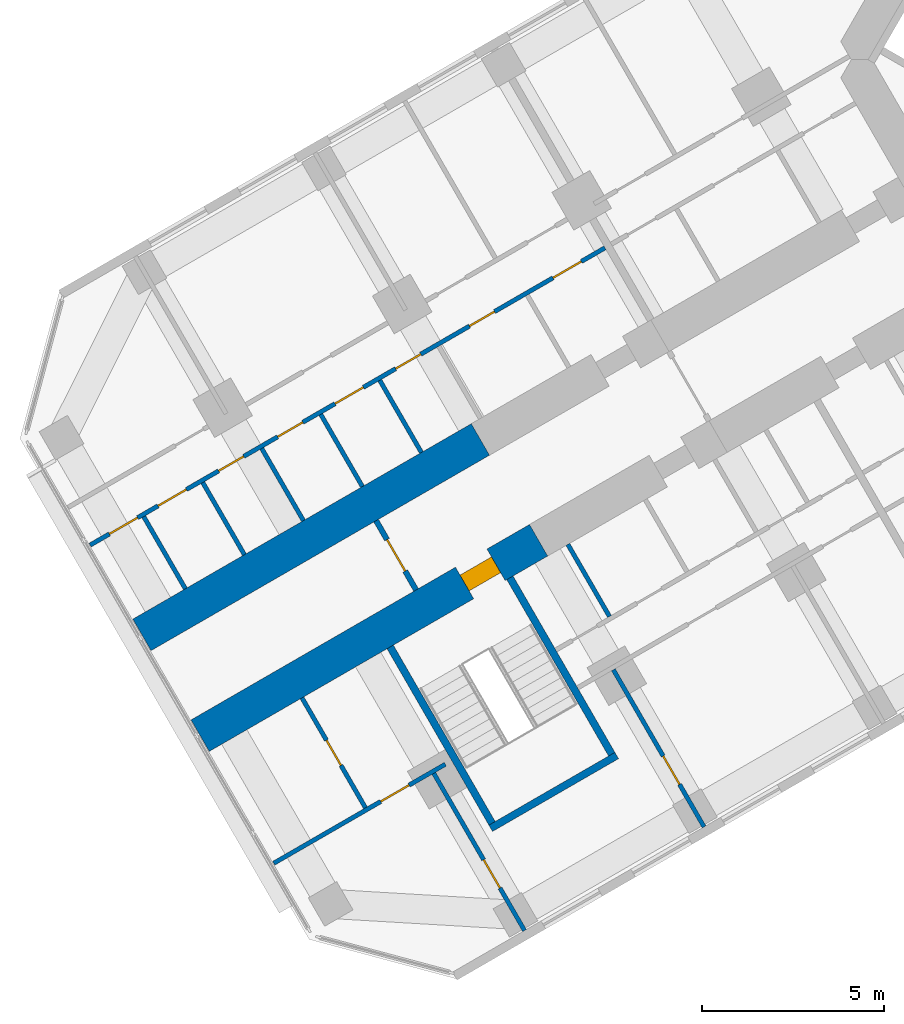
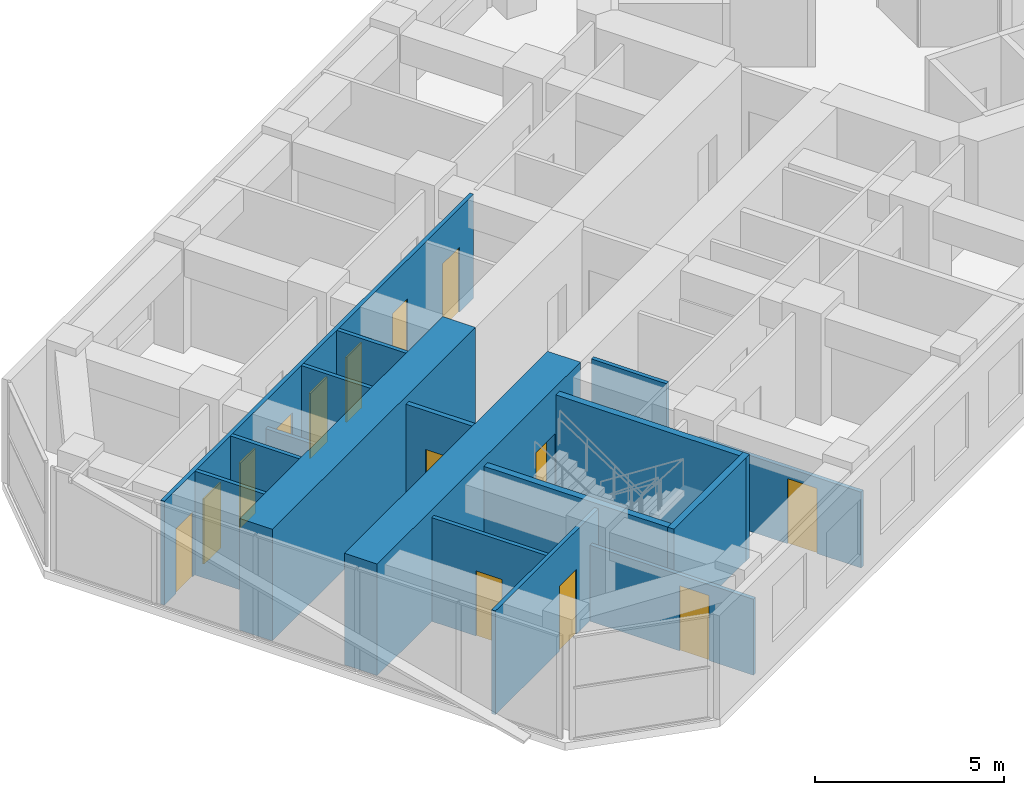
# One storey, part 10 of 21: 17 walls, 14 doors, 14 openings.
"""IFC4 building model written with IfcOpenShell, lengths in metres."""

from ifc_helpers import new_model, si_unit, direction, frame, frame_2d, origin, place, context, subcontext, project, spatial, rectangle, extrude, material, layer, layer_set, type_object, element, fill, save


model = new_model("IFC4")

# Units and contexts
model_context = context("Model", 3, precision=1e-05, world=origin(), true_north=direction((0.0, 1.0)))
body_context = subcontext(model_context, "Body", "Model", "MODEL_VIEW")
ifc_project = project(units=[si_unit("LENGTHUNIT", "METRE"), si_unit("AREAUNIT", "SQUARE_METRE"), si_unit("VOLUMEUNIT", "CUBIC_METRE"), si_unit("PLANEANGLEUNIT", "RADIAN"), si_unit("MASSUNIT", "GRAM", prefix="KILO")], contexts=[model_context])

# Site, building, storey
site_placement = place(None, origin())
site = spatial("IfcSite", under=ifc_project, at=site_placement, CompositionType="ELEMENT")
building_placement = place(site_placement, origin())
building = spatial("IfcBuilding", under=site, at=building_placement, Name="Kosmar Iwan School Tower", CompositionType="ELEMENT")
storey_placement = place(building_placement, frame((0.0, 0.0, 80.800048828125)))
storey = spatial("IfcBuildingStorey", under=building, at=storey_placement, Name="L19", CompositionType="ELEMENT", Elevation=80.800048828125)

# Wall, opening, door
ifc_material_1 = material(Name="Concrete C50/60", Category="concrete")
ifc_layer_1 = layer(ifc_material_1, 1.0)
ifc_layer_set_1 = layer_set([ifc_layer_1], Name="Corridor buttress wall 1000")
wall_type_1 = type_object("IfcWallType", Name="Corridor buttress wall 1000", PredefinedType="SHEAR", material=ifc_layer_set_1)
wall_1_placement = place(storey_placement, frame((-19.681396484375, -13.210693359375, 0.0), z_axis=(0.0, 0.0, 1.0), x_axis=(-0.866028186671, -0.499995179869, 0.0)))
wall_1 = element("IfcWall", 1, at=wall_1_placement, inside=storey, type_object=wall_type_1, Name="Corridor wall BL bay 3", PredefinedType="SHEAR", context=body_context, shape_type="SweptSolid", body=[
    extrude(rectangle(XDim=10.7451171875, YDim=1.0, at=frame_2d((5.37255859375, 0.0))), origin(), (0.0, 0.0, 1.0), 3.599853515625),
])
opening_1_placement = place(wall_1_placement, frame((1.35009765625, 0.0, 0.0)))
opening_1 = element("IfcOpeningElement", 2, at=opening_1_placement, cuts=wall_1, Name="Opening D6", PredefinedType="OPENING", context=body_context, shape_type="SweptSolid", body=[
    extrude(rectangle(XDim=1.0, YDim=2.10009765625, at=frame_2d((0.5, 1.050048828125))), frame((0.0, 0.511962890625, 0.0), z_axis=(0.0, -1.0, 0.0), x_axis=(1.0, 0.0, 0.0)), (0.0, 0.0, 1.0), 1.02392578125),
])
ifc_material_2 = material(Name="Steel fire door", Category="steel")
door_type_1 = type_object("IfcDoorType", Name="Stair door 1000x2100", OperationType="SINGLE_SWING_LEFT", PredefinedType="DOOR", material=ifc_material_2)
door_1_placement = place(opening_1_placement, origin())
door_1 = element("IfcDoor", 3, at=door_1_placement, inside=storey, type_object=door_type_1, Name="Stair WS2 door L19", OperationType="SINGLE_SWING_LEFT", OverallHeight=2.10009765625, OverallWidth=1.0, PredefinedType="DOOR", context=body_context, shape_type="SweptSolid", body=[
    extrude(rectangle(XDim=1.0, YDim=2.10009765625, at=frame_2d((0.5, 1.050048828125))), frame((0.0, 0.25, 0.0), z_axis=(0.0, -1.0, 0.0), x_axis=(1.0, 0.0, 0.0)), (0.0, 0.0, 1.0), 0.5),
])
fill(opening_1, door_1)

# Wall
wall_2_placement = place(storey_placement, frame((-21.281494140625, -10.439453125, 0.0), z_axis=(0.0, 0.0, 1.0), x_axis=(-0.866032345022, -0.499987977232, 0.0)))
element("IfcWall", 4, at=wall_2_placement, inside=storey, type_object=wall_type_1, Name="Corridor wall BR bay 3", PredefinedType="SHEAR", context=body_context, shape_type="SweptSolid", body=[
    extrude(rectangle(XDim=10.744873046875, YDim=1.0, at=frame_2d((5.37255859375, 0.0))), origin(), (0.0, 0.0, 1.0), 3.599853515625),
])

# Wall, opening, door
ifc_material_3 = material(Name="Gypsum board on steel studs, fire-rated", Category="steel")
ifc_layer_2 = layer(ifc_material_3, 0.14990234375)
ifc_layer_set_2 = layer_set([ifc_layer_2], Name="Corridor end wall 150")
wall_type_2 = type_object("IfcWallType", Name="Corridor end wall 150", PredefinedType="PARTITIONING", material=ifc_layer_set_2)
wall_3_placement = place(storey_placement, frame((-24.149169921875, -12.67236328125, 0.0), z_axis=(0.0, 0.0, 1.0), x_axis=(0.50002983664, -0.866008176907, 0.0)))
wall_3 = element("IfcWall", 5, at=wall_3_placement, inside=storey, type_object=wall_type_2, Name="Partition L19-B-CE", PredefinedType="PARTITIONING", context=body_context, shape_type="SweptSolid", body=[
    extrude(rectangle(XDim=2.199951171875, YDim=0.14990234375, at=frame_2d((1.10009765625, 0.0))), origin(), (0.0, 0.0, 1.0), 3.349853515625),
])
opening_2_placement = place(wall_3_placement, frame((0.60009765625, 0.0, 0.0)))
opening_2 = element("IfcOpeningElement", 6, at=opening_2_placement, cuts=wall_3, Name="Opening D13", PredefinedType="OPENING", context=body_context, shape_type="SweptSolid", body=[
    extrude(rectangle(XDim=1.0, YDim=2.10009765625, at=frame_2d((0.5, 1.050048828125))), frame((0.0, 0.0869140625, 0.0), z_axis=(0.0, -1.0, 0.0), x_axis=(1.0, 0.0, 0.0)), (0.0, 0.0, 1.0), 0.173828125),
])
ifc_material_4 = material(Name="Timber fire door with vision panel", Category="wood")
door_type_2 = type_object("IfcDoorType", Name="Corridor end door 1000x2100", OperationType="SINGLE_SWING_LEFT", PredefinedType="DOOR", material=ifc_material_4)
door_2_placement = place(opening_2_placement, origin())
door_2 = element("IfcDoor", 7, at=door_2_placement, inside=storey, type_object=door_type_2, Name="Reading room door L19-B", OperationType="SINGLE_SWING_RIGHT", OverallHeight=2.10009765625, OverallWidth=1.0, PredefinedType="DOOR", context=body_context, shape_type="SweptSolid", body=[
    extrude(rectangle(XDim=1.0, YDim=2.10009765625, at=frame_2d((0.5, 1.050048828125))), frame((0.0, 0.02490234375, 0.0), z_axis=(0.0, -1.0, 0.0), x_axis=(1.0, 0.0, 0.0)), (0.0, 0.0, 1.0), 0.050048828125),
])
fill(opening_2, door_2)

# Wall
ifc_material_5 = material(Name="Gypsum board on steel studs", Category="steel")
ifc_layer_3 = layer(ifc_material_5, 0.1201171875)
ifc_layer_set_3 = layer_set([ifc_layer_3], Name="Dwelling partition 120")
wall_type_3 = type_object("IfcWallType", Name="Dwelling partition 120", PredefinedType="PARTITIONING", material=ifc_layer_set_3)
wall_4_placement = place(storey_placement, frame((-18.877197265625, -13.32373046875, 0.0), z_axis=(0.0, 0.0, 1.0), x_axis=(0.500014693593, -0.866016920268, 0.0)))
element("IfcWall", 8, at=wall_4_placement, inside=storey, type_object=wall_type_3, Name="Partition L19-BL2-Y4", PredefinedType="PARTITIONING", context=body_context, shape_type="SweptSolid", body=[
    extrude(rectangle(XDim=2.2900390625, YDim=0.1201171875, at=frame_2d((1.14501953125, 0.0))), origin(), (0.0, 0.0, 1.0), 3.349853515625),
])

# Wall, opening, door
wall_5_placement = place(storey_placement, frame((-17.62646484375, -16.77001953125, 0.0), z_axis=(0.0, 0.0, 1.0), x_axis=(0.499975153383, -0.86603974851, 0.0)))
wall_5 = element("IfcWall", 9, at=wall_5_placement, inside=storey, type_object=wall_type_3, Name="Partition L19-BL2-TB", PredefinedType="PARTITIONING", context=body_context, shape_type="SweptSolid", body=[
    extrude(rectangle(XDim=4.989990234375, YDim=0.1201171875, at=frame_2d((2.4951171875, 0.0))), origin(), (0.0, 0.0, 1.0), 2.449951171875),
])
opening_3_placement = place(wall_5_placement, frame((2.739990234375, 0.0, 0.0)))
opening_3 = element("IfcOpeningElement", 10, at=opening_3_placement, cuts=wall_5, Name="Opening D2", PredefinedType="OPENING", context=body_context, shape_type="SweptSolid", body=[
    extrude(rectangle(XDim=0.89990234375, YDim=2.10009765625, at=frame_2d((0.449951171875, 1.050048828125))), frame((0.0, 0.072021484375, 0.0), z_axis=(0.0, -1.0, 0.0), x_axis=(1.0, 0.0, 0.0)), (0.0, 0.0, 1.0), 0.14404296875),
])
ifc_material_6 = material(Name="Timber door in timber frame", Category="wood")
door_type_3 = type_object("IfcDoorType", Name="Internal door 900x2100", OperationType="SINGLE_SWING_LEFT", PredefinedType="DOOR", material=ifc_material_6)
door_3_placement = place(opening_3_placement, origin())
door_3 = element("IfcDoor", 11, at=door_3_placement, inside=storey, type_object=door_type_3, Name="Study door L19-BL2-F2", OperationType="SINGLE_SWING_RIGHT", OverallHeight=2.10009765625, OverallWidth=0.89990234375, PredefinedType="DOOR", context=body_context, shape_type="SweptSolid", body=[
    extrude(rectangle(XDim=0.89990234375, YDim=2.10009765625, at=frame_2d((0.449951171875, 1.050048828125))), frame((0.0, 0.02490234375, 0.0), z_axis=(0.0, -1.0, 0.0), x_axis=(1.0, 0.0, 0.0)), (0.0, 0.0, 1.0), 0.050048828125),
])
fill(opening_3, door_3)

wall_6_placement = place(storey_placement, frame((-22.562744140625, -19.6201171875, 0.0), z_axis=(0.0, 0.0, 1.0), x_axis=(0.499996339024, -0.86602751744, 0.0)))
wall_6 = element("IfcWall", 12, at=wall_6_placement, inside=storey, type_object=wall_type_3, Name="Partition L19-BL2-TX", PredefinedType="PARTITIONING", context=body_context, shape_type="SweptSolid", body=[
    extrude(rectangle(XDim=4.98974609375, YDim=0.1201171875, at=frame_2d((2.494873046875, 0.0))), origin(), (0.0, 0.0, 1.0), 2.449951171875),
])
opening_4_placement = place(wall_6_placement, frame((2.739990234375, 0.0, 0.0)))
opening_4 = element("IfcOpeningElement", 13, at=opening_4_placement, cuts=wall_6, Name="Opening D2", PredefinedType="OPENING", context=body_context, shape_type="SweptSolid", body=[
    extrude(rectangle(XDim=0.89990234375, YDim=2.10009765625, at=frame_2d((0.449951171875, 1.050048828125))), frame((0.0, 0.072021484375, 0.0), z_axis=(0.0, -1.0, 0.0), x_axis=(1.0, 0.0, 0.0)), (0.0, 0.0, 1.0), 0.14404296875),
])
door_4_placement = place(opening_4_placement, origin())
door_4 = element("IfcDoor", 14, at=door_4_placement, inside=storey, type_object=door_type_3, Name="Study door L19-BL2-T1", OperationType="SINGLE_SWING_RIGHT", OverallHeight=2.10009765625, OverallWidth=0.89990234375, PredefinedType="DOOR", context=body_context, shape_type="SweptSolid", body=[
    extrude(rectangle(XDim=0.89990234375, YDim=2.10009765625, at=frame_2d((0.449951171875, 1.050048828125))), frame((0.0, 0.02490234375, 0.0), z_axis=(0.0, -1.0, 0.0), x_axis=(1.0, 0.0, 0.0)), (0.0, 0.0, 1.0), 0.050048828125),
])
fill(opening_4, door_4)

wall_7_placement = place(storey_placement, frame((-22.246337890625, -19.3681640625, 0.0), z_axis=(0.0, 0.0, 1.0), x_axis=(-0.866035508231, -0.499982498177, 0.0)))
wall_7 = element("IfcWall", 15, at=wall_7_placement, inside=storey, type_object=wall_type_3, Name="Partition L19-BL2-TW", PredefinedType="PARTITIONING", context=body_context, shape_type="SweptSolid", body=[
    extrude(rectangle(XDim=5.445068359375, YDim=0.1201171875, at=frame_2d((2.72265625, 0.0))), origin(), (0.0, 0.0, 1.0), 3.349853515625),
])
opening_5_placement = place(wall_7_placement, frame((1.14990234375, 0.0, 0.0)))
opening_5 = element("IfcOpeningElement", 16, at=opening_5_placement, cuts=wall_7, Name="Opening D2", PredefinedType="OPENING", context=body_context, shape_type="SweptSolid", body=[
    extrude(rectangle(XDim=0.89990234375, YDim=2.10009765625, at=frame_2d((0.449951171875, 1.050048828125))), frame((0.0, 0.072021484375, 0.0), z_axis=(0.0, -1.0, 0.0), x_axis=(1.0, 0.0, 0.0)), (0.0, 0.0, 1.0), 0.14404296875),
])
door_5_placement = place(opening_5_placement, origin())
door_5 = element("IfcDoor", 17, at=door_5_placement, inside=storey, type_object=door_type_3, Name="Dressing room door L19-BL2-T3", OperationType="SINGLE_SWING_LEFT", OverallHeight=2.10009765625, OverallWidth=0.89990234375, PredefinedType="DOOR", context=body_context, shape_type="SweptSolid", body=[
    extrude(rectangle(XDim=0.89990234375, YDim=2.10009765625, at=frame_2d((0.449951171875, 1.050048828125))), frame((0.0, 0.02490234375, 0.0), z_axis=(0.0, -1.0, 0.0), x_axis=(1.0, 0.0, 0.0)), (0.0, 0.0, 1.0), 0.050048828125),
])
fill(opening_5, door_5)

wall_8_placement = place(storey_placement, frame((-26.1865234375, -17.543701171875, 0.0), z_axis=(0.0, 0.0, 1.0), x_axis=(0.50002117804, -0.866013176292, 0.0)))
wall_8 = element("IfcWall", 18, at=wall_8_placement, inside=storey, type_object=wall_type_3, Name="Partition L19-BL2-TY", PredefinedType="PARTITIONING", context=body_context, shape_type="SweptSolid", body=[
    extrude(rectangle(XDim=3.489990234375, YDim=0.1201171875, at=frame_2d((1.7451171875, 0.0))), origin(), (0.0, 0.0, 1.0), 3.349853515625),
])
opening_6_placement = place(wall_8_placement, frame((1.344970703125, 0.0, 0.0)))
opening_6 = element("IfcOpeningElement", 19, at=opening_6_placement, cuts=wall_8, Name="Opening D3", PredefinedType="OPENING", context=body_context, shape_type="SweptSolid", body=[
    extrude(rectangle(XDim=0.800048828125, YDim=2.10009765625, at=frame_2d((0.39990234375, 1.050048828125))), frame((0.0, 0.072021484375, 0.0), z_axis=(0.0, -1.0, 0.0), x_axis=(1.0, 0.0, 0.0)), (0.0, 0.0, 1.0), 0.14404296875),
])
ifc_material_7 = material(Name="Timber door in timber frame", Category="wood")
door_type_4 = type_object("IfcDoorType", Name="Sanitary room door 800x2100", OperationType="SINGLE_SWING_LEFT", PredefinedType="DOOR", material=ifc_material_7)
door_6_placement = place(opening_6_placement, origin())
door_6 = element("IfcDoor", 20, at=door_6_placement, inside=storey, type_object=door_type_4, Name="Shower room door L19-BL2-T4", OperationType="SINGLE_SWING_LEFT", OverallHeight=2.10009765625, OverallWidth=0.800048828125, PredefinedType="DOOR", context=body_context, shape_type="SweptSolid", body=[
    extrude(rectangle(XDim=0.800048828125, YDim=2.10009765625, at=frame_2d((0.39990234375, 1.050048828125))), frame((0.0, 0.02490234375, 0.0), z_axis=(0.0, -1.0, 0.0), x_axis=(1.0, 0.0, 0.0)), (0.0, 0.0, 1.0), 0.050048828125),
])
fill(opening_6, door_6)

# Wall, openings, doors
wall_9_placement = place(storey_placement, frame((-17.856689453125, -5.171142578125, 0.0), z_axis=(0.0, 0.0, 1.0), x_axis=(-0.866023907196, -0.500002592159, 0.0)))
wall_9 = element("IfcWall", 21, at=wall_9_placement, inside=storey, type_object=wall_type_3, Name="Partition L19-BR2-W1", PredefinedType="PARTITIONING", context=body_context, shape_type="SweptSolid", body=[
    extrude(rectangle(XDim=16.34521484375, YDim=0.1201171875, at=frame_2d((8.172607421875, 0.0))), origin(), (0.0, 0.0, 1.0), 3.349853515625),
])
opening_7_placement = place(wall_9_placement, frame((0.75, 0.0, 0.0)))
opening_7 = element("IfcOpeningElement", 22, at=opening_7_placement, cuts=wall_9, Name="Opening D2", PredefinedType="OPENING", context=body_context, shape_type="SweptSolid", body=[
    extrude(rectangle(XDim=0.89990234375, YDim=2.10009765625, at=frame_2d((0.449951171875, 1.050048828125))), frame((0.0, 0.072021484375, 0.0), z_axis=(0.0, -1.0, 0.0), x_axis=(1.0, 0.0, 0.0)), (0.0, 0.0, 1.0), 0.14404296875),
])
opening_8_placement = place(wall_9_placement, frame((3.505126953125, 0.0, 0.0)))
opening_8 = element("IfcOpeningElement", 23, at=opening_8_placement, cuts=wall_9, Name="Opening D3", PredefinedType="OPENING", context=body_context, shape_type="SweptSolid", body=[
    extrude(rectangle(XDim=0.800048828125, YDim=2.10009765625, at=frame_2d((0.39990234375, 1.050048828125))), frame((0.0, 0.072021484375, 0.0), z_axis=(0.0, -1.0, 0.0), x_axis=(1.0, 0.0, 0.0)), (0.0, 0.0, 1.0), 0.14404296875),
])
opening_9_placement = place(wall_9_placement, frame((5.8466796875, 0.0, 0.0)))
opening_9 = element("IfcOpeningElement", 24, at=opening_9_placement, cuts=wall_9, Name="Opening D3", PredefinedType="OPENING", context=body_context, shape_type="SweptSolid", body=[
    extrude(rectangle(XDim=0.800048828125, YDim=2.10009765625, at=frame_2d((0.39990234375, 1.050048828125))), frame((0.0, 0.072021484375, 0.0), z_axis=(0.0, -1.0, 0.0), x_axis=(1.0, 0.0, 0.0)), (0.0, 0.0, 1.0), 0.14404296875),
])
opening_10_placement = place(wall_9_placement, frame((7.669921875, 0.0, 0.0)))
opening_10 = element("IfcOpeningElement", 25, at=opening_10_placement, cuts=wall_9, Name="Opening D2", PredefinedType="OPENING", context=body_context, shape_type="SweptSolid", body=[
    extrude(rectangle(XDim=0.89990234375, YDim=2.10009765625, at=frame_2d((0.449951171875, 1.050048828125))), frame((0.0, 0.072021484375, 0.0), z_axis=(0.0, -1.0, 0.0), x_axis=(1.0, 0.0, 0.0)), (0.0, 0.0, 1.0), 0.14404296875),
])
opening_11_placement = place(wall_9_placement, frame((9.59326171875, 0.0, 0.0)))
opening_11 = element("IfcOpeningElement", 26, at=opening_11_placement, cuts=wall_9, Name="Opening D3", PredefinedType="OPENING", context=body_context, shape_type="SweptSolid", body=[
    extrude(rectangle(XDim=0.800048828125, YDim=2.10009765625, at=frame_2d((0.39990234375, 1.050048828125))), frame((0.0, 0.072021484375, 0.0), z_axis=(0.0, -1.0, 0.0), x_axis=(1.0, 0.0, 0.0)), (0.0, 0.0, 1.0), 0.14404296875),
])
opening_12_placement = place(wall_9_placement, frame((11.466796875, 0.0, 0.0)))
opening_12 = element("IfcOpeningElement", 27, at=opening_12_placement, cuts=wall_9, Name="Opening D3", PredefinedType="OPENING", context=body_context, shape_type="SweptSolid", body=[
    extrude(rectangle(XDim=0.800048828125, YDim=2.10009765625, at=frame_2d((0.39990234375, 1.050048828125))), frame((0.0, 0.072021484375, 0.0), z_axis=(0.0, -1.0, 0.0), x_axis=(1.0, 0.0, 0.0)), (0.0, 0.0, 1.0), 0.14404296875),
])
opening_13_placement = place(wall_9_placement, frame((13.2900390625, 0.0, 0.0)))
opening_13 = element("IfcOpeningElement", 28, at=opening_13_placement, cuts=wall_9, Name="Opening D2", PredefinedType="OPENING", context=body_context, shape_type="SweptSolid", body=[
    extrude(rectangle(XDim=0.89990234375, YDim=2.10009765625, at=frame_2d((0.449951171875, 1.050048828125))), frame((0.0, 0.072021484375, 0.0), z_axis=(0.0, -1.0, 0.0), x_axis=(1.0, 0.0, 0.0)), (0.0, 0.0, 1.0), 0.14404296875),
])
opening_14_placement = place(wall_9_placement, frame((14.836669921875, 0.0, 0.0)))
opening_14 = element("IfcOpeningElement", 29, at=opening_14_placement, cuts=wall_9, Name="Opening D2", PredefinedType="OPENING", context=body_context, shape_type="SweptSolid", body=[
    extrude(rectangle(XDim=0.89990234375, YDim=2.10009765625, at=frame_2d((0.449951171875, 1.050048828125))), frame((0.0, 0.072021484375, 0.0), z_axis=(0.0, -1.0, 0.0), x_axis=(1.0, 0.0, 0.0)), (0.0, 0.0, 1.0), 0.14404296875),
])
door_7_placement = place(opening_7_placement, origin())
door_7 = element("IfcDoor", 30, at=door_7_placement, inside=storey, type_object=door_type_3, Name="Entrance hall door L19-BR2-S1", OperationType="SINGLE_SWING_RIGHT", OverallHeight=2.10009765625, OverallWidth=0.89990234375, PredefinedType="DOOR", context=body_context, shape_type="SweptSolid", body=[
    extrude(rectangle(XDim=0.89990234375, YDim=2.10009765625, at=frame_2d((0.449951171875, 1.050048828125))), frame((0.0, 0.02490234375, 0.0), z_axis=(0.0, -1.0, 0.0), x_axis=(1.0, 0.0, 0.0)), (0.0, 0.0, 1.0), 0.050048828125),
])
fill(opening_7, door_7)
door_8_placement = place(opening_10_placement, origin())
door_8 = element("IfcDoor", 31, at=door_8_placement, inside=storey, type_object=door_type_3, Name="Pantry door L19-BR2-S4", OperationType="SINGLE_SWING_LEFT", OverallHeight=2.10009765625, OverallWidth=0.89990234375, PredefinedType="DOOR", context=body_context, shape_type="SweptSolid", body=[
    extrude(rectangle(XDim=0.89990234375, YDim=2.10009765625, at=frame_2d((0.449951171875, 1.050048828125))), frame((0.0, 0.02490234375, 0.0), z_axis=(0.0, -1.0, 0.0), x_axis=(1.0, 0.0, 0.0)), (0.0, 0.0, 1.0), 0.050048828125),
])
fill(opening_10, door_8)
door_9_placement = place(opening_13_placement, origin())
door_9 = element("IfcDoor", 32, at=door_9_placement, inside=storey, type_object=door_type_3, Name="Utility room door L19-BR2-S7", OperationType="SINGLE_SWING_RIGHT", OverallHeight=2.10009765625, OverallWidth=0.89990234375, PredefinedType="DOOR", context=body_context, shape_type="SweptSolid", body=[
    extrude(rectangle(XDim=0.89990234375, YDim=2.10009765625, at=frame_2d((0.449951171875, 1.050048828125))), frame((0.0, 0.02490234375, 0.0), z_axis=(0.0, -1.0, 0.0), x_axis=(1.0, 0.0, 0.0)), (0.0, 0.0, 1.0), 0.050048828125),
])
fill(opening_13, door_9)
door_10_placement = place(opening_14_placement, origin())
door_10 = element("IfcDoor", 33, at=door_10_placement, inside=storey, type_object=door_type_3, Name="Dressing room door L19-BR2-S8", OperationType="SINGLE_SWING_LEFT", OverallHeight=2.10009765625, OverallWidth=0.89990234375, PredefinedType="DOOR", context=body_context, shape_type="SweptSolid", body=[
    extrude(rectangle(XDim=0.89990234375, YDim=2.10009765625, at=frame_2d((0.449951171875, 1.050048828125))), frame((0.0, 0.02490234375, 0.0), z_axis=(0.0, -1.0, 0.0), x_axis=(1.0, 0.0, 0.0)), (0.0, 0.0, 1.0), 0.050048828125),
])
fill(opening_14, door_10)
door_11_placement = place(opening_8_placement, origin())
door_11 = element("IfcDoor", 34, at=door_11_placement, inside=storey, type_object=door_type_4, Name="Bathroom door L19-BR2-S2", OperationType="SINGLE_SWING_LEFT", OverallHeight=2.10009765625, OverallWidth=0.800048828125, PredefinedType="DOOR", context=body_context, shape_type="SweptSolid", body=[
    extrude(rectangle(XDim=0.800048828125, YDim=2.10009765625, at=frame_2d((0.39990234375, 1.050048828125))), frame((0.0, 0.02490234375, 0.0), z_axis=(0.0, -1.0, 0.0), x_axis=(1.0, 0.0, 0.0)), (0.0, 0.0, 1.0), 0.050048828125),
])
fill(opening_8, door_11)
door_12_placement = place(opening_9_placement, origin())
door_12 = element("IfcDoor", 35, at=door_12_placement, inside=storey, type_object=door_type_4, Name="Shower room door L19-BR2-S3", OperationType="SINGLE_SWING_RIGHT", OverallHeight=2.10009765625, OverallWidth=0.800048828125, PredefinedType="DOOR", context=body_context, shape_type="SweptSolid", body=[
    extrude(rectangle(XDim=0.800048828125, YDim=2.10009765625, at=frame_2d((0.39990234375, 1.050048828125))), frame((0.0, 0.02490234375, 0.0), z_axis=(0.0, -1.0, 0.0), x_axis=(1.0, 0.0, 0.0)), (0.0, 0.0, 1.0), 0.050048828125),
])
fill(opening_9, door_12)
door_13_placement = place(opening_11_placement, origin())
door_13 = element("IfcDoor", 36, at=door_13_placement, inside=storey, type_object=door_type_4, Name="WC door L19-BR2-S5", OperationType="SINGLE_SWING_RIGHT", OverallHeight=2.10009765625, OverallWidth=0.800048828125, PredefinedType="DOOR", context=body_context, shape_type="SweptSolid", body=[
    extrude(rectangle(XDim=0.800048828125, YDim=2.10009765625, at=frame_2d((0.39990234375, 1.050048828125))), frame((0.0, 0.02490234375, 0.0), z_axis=(0.0, -1.0, 0.0), x_axis=(1.0, 0.0, 0.0)), (0.0, 0.0, 1.0), 0.050048828125),
])
fill(opening_11, door_13)
door_14_placement = place(opening_12_placement, origin())
door_14 = element("IfcDoor", 37, at=door_14_placement, inside=storey, type_object=door_type_4, Name="Store door L19-BR2-S6", OperationType="SINGLE_SWING_LEFT", OverallHeight=2.10009765625, OverallWidth=0.800048828125, PredefinedType="DOOR", context=body_context, shape_type="SweptSolid", body=[
    extrude(rectangle(XDim=0.800048828125, YDim=2.10009765625, at=frame_2d((0.39990234375, 1.050048828125))), frame((0.0, 0.02490234375, 0.0), z_axis=(0.0, -1.0, 0.0), x_axis=(1.0, 0.0, 0.0)), (0.0, 0.0, 1.0), 0.050048828125),
])
fill(opening_12, door_14)

# Walls
wall_10_placement = place(storey_placement, frame((-22.902587890625, -10.798095703125, 0.0), z_axis=(0.0, 0.0, 1.0), x_axis=(-0.499968531483, 0.866043571379, 0.0)))
element("IfcWall", 38, at=wall_10_placement, inside=storey, type_object=wall_type_3, Name="Partition L19-BR2-Y3", PredefinedType="PARTITIONING", context=body_context, shape_type="SweptSolid", body=[
    extrude(rectangle(XDim=2.290283203125, YDim=0.1201171875, at=frame_2d((1.14501953125, 0.0))), origin(), (0.0, 0.0, 1.0), 3.349853515625),
])
wall_11_placement = place(storey_placement, frame((-24.525146484375, -11.734619140625, 0.0), z_axis=(0.0, 0.0, 1.0), x_axis=(-0.500014693593, 0.866016920268, 0.0)))
element("IfcWall", 39, at=wall_11_placement, inside=storey, type_object=wall_type_3, Name="Partition L19-BR2-Y4", PredefinedType="PARTITIONING", context=body_context, shape_type="SweptSolid", body=[
    extrude(rectangle(XDim=2.2900390625, YDim=0.1201171875, at=frame_2d((1.14501953125, 0.0))), origin(), (0.0, 0.0, 1.0), 3.349853515625),
])
wall_12_placement = place(storey_placement, frame((-26.1474609375, -12.67138671875, 0.0), z_axis=(0.0, 0.0, 1.0), x_axis=(-0.500014693593, 0.866016920268, 0.0)))
element("IfcWall", 40, at=wall_12_placement, inside=storey, type_object=wall_type_3, Name="Partition L19-BR2-Y5", PredefinedType="PARTITIONING", context=body_context, shape_type="SweptSolid", body=[
    extrude(rectangle(XDim=2.2900390625, YDim=0.1201171875, at=frame_2d((1.14501953125, 0.0))), origin(), (0.0, 0.0, 1.0), 2.449951171875),
])
for number, where, z_axis, x_axis, name in (
    (41, (-27.769775390625, -13.60791015625, 0.0), (0.0, 0.0, 1.0), (-0.500014693593, 0.866016920268, 0.0), "Partition L19-BR2-Y6"),
    (42, (-29.39208984375, -14.544677734375, 0.0), (0.0, 0.0, 1.0), (-0.500014693593, 0.866016920268, 0.0), "Partition L19-BR2-Y7"),
):
    element("IfcWall", number, at=place(storey_placement, frame(where, z_axis=z_axis, x_axis=x_axis)), inside=storey, type_object=wall_type_3, Name=name, PredefinedType="PARTITIONING", context=body_context, shape_type="SweptSolid", body=[
        extrude(rectangle(XDim=2.2900390625, YDim=0.1201171875, at=frame_2d((1.14501953125, 0.0))), origin(), (0.0, 0.0, 1.0), 3.349853515625),
    ])
ifc_material_8 = material(Name="Concrete C35/45", Category="concrete")
ifc_layer_4 = layer(ifc_material_8, 0.199951171875)
ifc_layer_set_4 = layer_set([ifc_layer_4], Name="Escape stair wall 200")
wall_type_4 = type_object("IfcWallType", Name="Escape stair wall 200", PredefinedType="SHEAR", material=ifc_layer_set_4)
for number, where, z_axis, x_axis, name in (
    (43, (-20.470703125, -14.24365234375, 0.0), (0.0, 0.0, 1.0), (0.499987231761, -0.866032775405, 0.0), "Stair WS2 wall"),
    (44, (-23.76171875, -16.1435546875, 0.0), (0.0, 0.0, 1.0), (0.500018801468, -0.86601454848, 0.0), "Stair WS2 wall"),
):
    element("IfcWall", number, at=place(storey_placement, frame(where, z_axis=z_axis, x_axis=x_axis)), inside=storey, type_object=wall_type_4, Name=name, PredefinedType="SHEAR", context=body_context, shape_type="SweptSolid", body=[
        extrude(rectangle(XDim=5.800048828125, YDim=0.199951171875, at=frame_2d((2.89990234375, 0.0))), origin(), (0.0, 0.0, 1.0), 3.329833984375),
    ])
wall_13_placement = place(storey_placement, frame((-17.5341796875, -19.1298828125, 0.0), z_axis=(0.0, 0.0, 1.0), x_axis=(-0.866026010844, -0.49999894854, 0.0)))
element("IfcWall", 45, at=wall_13_placement, inside=storey, type_object=wall_type_4, Name="Stair WS2 wall", PredefinedType="SHEAR", context=body_context, shape_type="SweptSolid", body=[
    extrude(rectangle(XDim=4.0, YDim=0.199951171875, at=frame_2d((2.0, 0.0))), origin(), (0.0, 0.0, 1.0), 3.329833984375),
])

save(model, "model.ifc")
